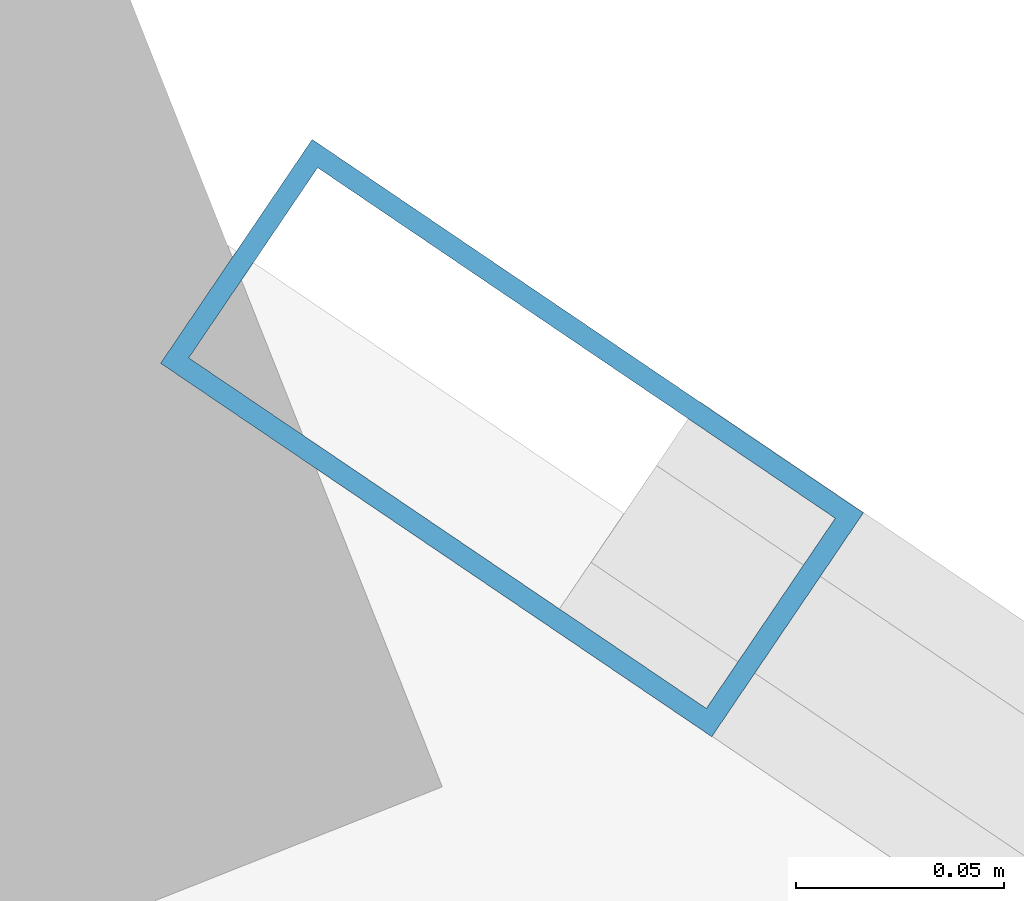
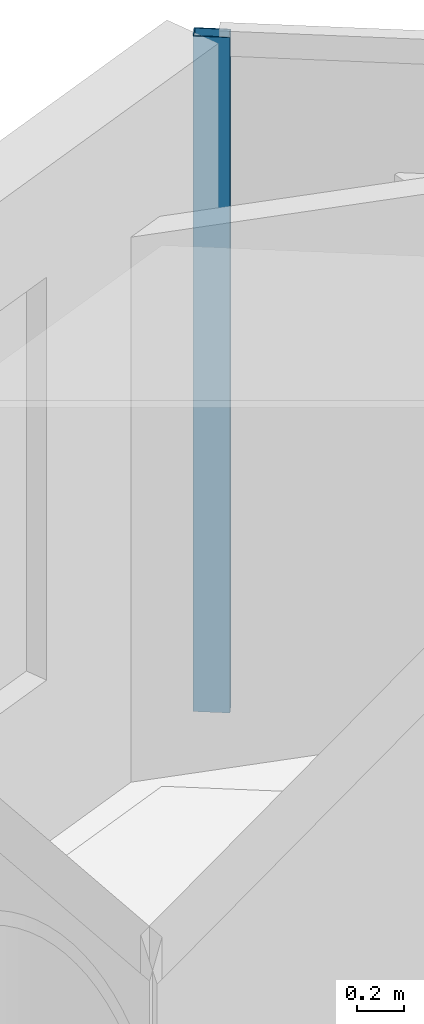
# One storey, part 14 of 21: 1 member, 1 element without a shape of its own.
"""IFC4 building model written with IfcOpenShell, lengths in metres."""

from ifc_helpers import new_model, si_unit, direction, frame, origin, origin_2d, place, context, subcontext, project, spatial, hollow_rectangle, extrude, material, layer, layer_set, material_profile, profile_set, type_object, element, aggregate, save


model = new_model("IFC4")

# Units and contexts
model_context = context("Model", 3, precision=1e-05, world=origin(), true_north=direction((0.0, 1.0)))
body_context = subcontext(model_context, "Body", "Model", "MODEL_VIEW")
ifc_project = project(units=[si_unit("LENGTHUNIT", "METRE"), si_unit("AREAUNIT", "SQUARE_METRE"), si_unit("VOLUMEUNIT", "CUBIC_METRE"), si_unit("PLANEANGLEUNIT", "RADIAN"), si_unit("MASSUNIT", "GRAM", prefix="KILO")], contexts=[model_context])

# Site, building, storey
site_placement = place(None, origin())
site = spatial("IfcSite", under=ifc_project, at=site_placement, CompositionType="ELEMENT")
building_placement = place(site_placement, origin())
building = spatial("IfcBuilding", under=site, at=building_placement, Name="Qianvela Tower", CompositionType="ELEMENT")
storey_placement = place(building_placement, frame((0.0, 0.0, 105.199951171875)))
storey = spatial("IfcBuildingStorey", under=building, at=storey_placement, Name="L26", CompositionType="ELEMENT", Elevation=105.199951171875)

# Curtain wall, member
ifc_material_1 = material(Name="Anodised Architectural Aluminium and Low-E Glass", Category="aluminium")
ifc_layer = layer(ifc_material_1, 0.169921875)
ifc_layer_set = layer_set([ifc_layer], Name="Anodised Architectural Aluminium and Low-E Glass")
curtain_wall_type = type_object("IfcCurtainWallType", Name="CW-COLIV-Z34", PredefinedType="USERDEFINED", material=ifc_layer_set)
curtain_wall_placement = place(storey_placement, origin())
curtain_wall = element("IfcCurtainWall", 1, at=curtain_wall_placement, inside=storey, type_object=curtain_wall_type, Name="L26 CW-COLIV-Z34 Curtain Wall 02C", ObjectType="CURTAIN_WALL_SYSTEM", PredefinedType="USERDEFINED")
ifc_material_2 = material(Name="Anodised Architectural Aluminium 6063-T6", Category="aluminium")
ifc_material_profile = material_profile(ifc_material_2, hollow_rectangle(XDim=0.06494140625, YDim=0.159912109375, WallThickness=0.0048828125, at=origin_2d()), Name="ALU-MULL-65x160")
ifc_profile_set = profile_set([ifc_material_profile], Name="Anodised Architectural Aluminium 6063-T6")
member_type = type_object("IfcMemberType", Name="CW-COLIV-Z34-MULL", PredefinedType="MULLION", material=ifc_profile_set)
member_placement = place(storey_placement, frame((33.256591796875, 44.314453125, 0.0), z_axis=(0.0, 0.0, 1.0), x_axis=(-0.560826570295, -0.827933305316, 0.0)))
member = element("IfcMember", 2, at=member_placement, type_object=member_type, Name="CW-4 mullion 2", PredefinedType="MULLION", context=body_context, shape_type="SweptSolid", body=[
    extrude(hollow_rectangle(XDim=0.06494140625, YDim=0.159912109375, WallThickness=0.0048828125, at=origin_2d()), origin(), (0.0, 0.0, 1.0), 3.52001953125),
])
aggregate(curtain_wall, [member])

save(model, "model.ifc")
